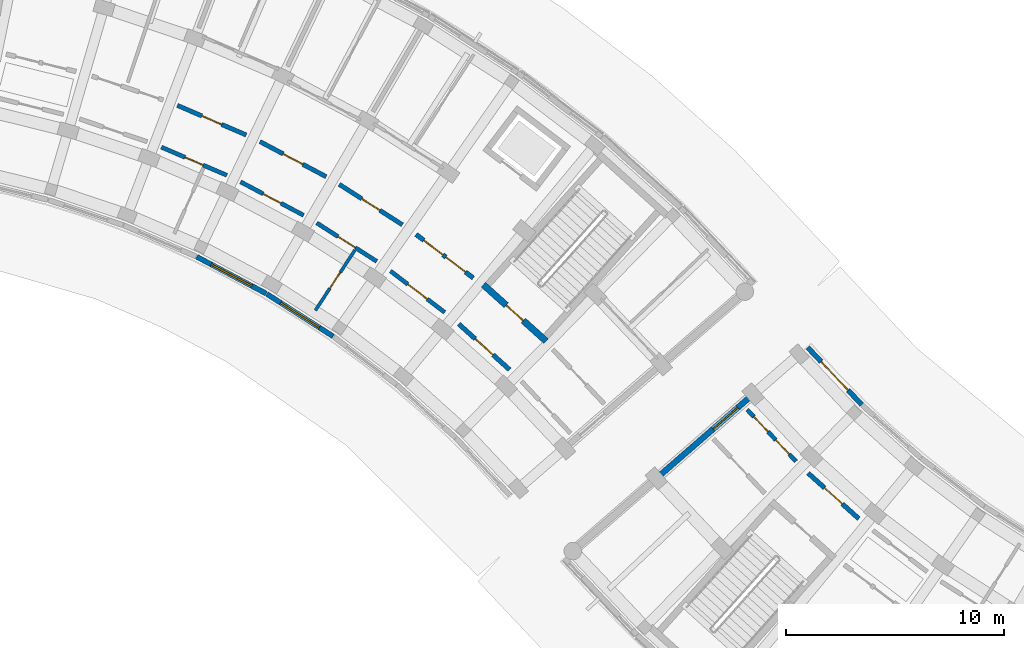
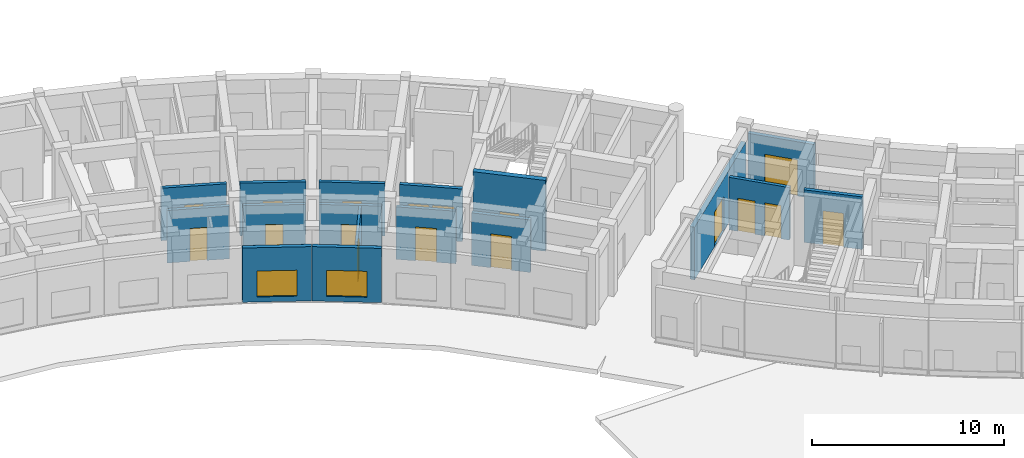
# One storey, part 37 of 61: 17 doors, 17 walls, 2 windows, 19 openings.
"""IFC4 building model written with IfcOpenShell, lengths in metres."""

from ifc_helpers import new_model, si_unit, direction, frame, frame_2d, origin, place, context, subcontext, project, spatial, rectangle, extrude, material, layer, layer_set, type_object, element, fill, save


model = new_model("IFC4")

# Units and contexts
model_context = context("Model", 3, precision=1e-05, world=origin(), true_north=direction((0.0, 1.0)))
body_context = subcontext(model_context, "Body", "Model", "MODEL_VIEW")
ifc_project = project(units=[si_unit("LENGTHUNIT", "METRE"), si_unit("AREAUNIT", "SQUARE_METRE"), si_unit("VOLUMEUNIT", "CUBIC_METRE"), si_unit("PLANEANGLEUNIT", "RADIAN"), si_unit("MASSUNIT", "GRAM", prefix="KILO")], contexts=[model_context])

# Site, building, storey
site_placement = place(None, origin())
site = spatial("IfcSite", under=ifc_project, at=site_placement, CompositionType="ELEMENT")
building_placement = place(site_placement, origin())
building = spatial("IfcBuilding", under=site, at=building_placement, Name="Zimvara Arc Housing Community", CompositionType="ELEMENT")
storey_placement = place(building_placement, origin())
storey = spatial("IfcBuildingStorey", under=building, at=storey_placement, Name="L00", CompositionType="ELEMENT", Elevation=0.0)

# Wall, opening, window
ifc_material_1 = material(Name="Board-Marked Fair-Faced Concrete C35/45", Category="concrete")
ifc_layer_1 = layer(ifc_material_1, 0.22998046875)
ifc_layer_set_1 = layer_set([ifc_layer_1], Name="Board-Marked Fair-Faced Concrete C35/45")
wall_type_1 = type_object("IfcWallType", Name="EWL-CONC-230", PredefinedType="SOLIDWALL", material=ifc_layer_set_1)
wall_1_placement = place(storey_placement, frame((64.29736328125, 84.73046875, 0.0), z_axis=(0.0, 0.0, 1.0), x_axis=(0.883438308286, -0.468547495407, 0.0)))
wall_1 = element("IfcWall", 1, at=wall_1_placement, inside=storey, type_object=wall_type_1, Name="ewall:blkB:L00:in:b5", PredefinedType="SOLIDWALL", context=body_context, shape_type="SweptSolid", body=[
    extrude(rectangle(XDim=3.603759765625, YDim=0.22998046875, at=frame_2d((1.8017578125, 0.0))), origin(), (0.0, 0.0, 1.0), 3.449951171875),
])
opening_1_placement = place(wall_1_placement, frame((0.751708984375, 0.0, 0.320068359375)))
opening_1 = element("IfcOpeningElement", 2, at=opening_1_placement, cuts=wall_1, Name="Opening W09", PredefinedType="OPENING", context=body_context, shape_type="SweptSolid", body=[
    extrude(rectangle(XDim=2.10009765625, YDim=1.64990234375, at=frame_2d((1.050048828125, 0.824951171875))), frame((0.0, 0.125, 0.0), z_axis=(0.0, -1.0, 0.0), x_axis=(1.0, 0.0, 0.0)), (0.0, 0.0, 1.0), 0.25),
])
ifc_material_2 = material(Name="Solar Control Low-E Double Glazing", Category="glass")
window_type = type_object("IfcWindowType", Name="WIN-RES-2100x1650", PartitioningType="TRIPLE_PANEL_VERTICAL", PredefinedType="WINDOW", material=ifc_material_2)
window_1_placement = place(opening_1_placement, origin())
window_1 = element("IfcWindow", 3, at=window_1_placement, inside=storey, type_object=window_type, Name="win:blkB:L00:in:b5", OverallHeight=1.64990234375, OverallWidth=2.10009765625, PartitioningType="TRIPLE_PANEL_VERTICAL", PredefinedType="WINDOW", context=body_context, shape_type="SweptSolid", body=[
    extrude(rectangle(XDim=2.10009765625, YDim=1.64990234375, at=frame_2d((1.050048828125, 0.824951171875))), frame((0.0, 0.030029296875, 0.0), z_axis=(0.0, -1.0, 0.0), x_axis=(1.0, 0.0, 0.0)), (0.0, 0.0, 1.0), 0.06005859375),
])
fill(opening_1, window_1)

wall_2_placement = place(storey_placement, frame((67.515380859375, 83.021728515625, 0.0), z_axis=(0.0, 0.0, 1.0), x_axis=(0.84225540507, -0.539078688718, 0.0)))
wall_2 = element("IfcWall", 4, at=wall_2_placement, inside=storey, type_object=wall_type_1, Name="ewall:blkB:L00:in:b6", PredefinedType="SOLIDWALL", context=body_context, shape_type="SweptSolid", body=[
    extrude(rectangle(XDim=3.603515625, YDim=0.22998046875, at=frame_2d((1.8017578125, 0.0))), origin(), (0.0, 0.0, 1.0), 3.449951171875),
])
opening_2_placement = place(wall_2_placement, frame((0.751708984375, 0.0, 0.320068359375)))
opening_2 = element("IfcOpeningElement", 5, at=opening_2_placement, cuts=wall_2, Name="Opening W09", PredefinedType="OPENING", context=body_context, shape_type="SweptSolid", body=[
    extrude(rectangle(XDim=2.10009765625, YDim=1.64990234375, at=frame_2d((1.050048828125, 0.824951171875))), frame((0.0, 0.125, 0.0), z_axis=(0.0, -1.0, 0.0), x_axis=(1.0, 0.0, 0.0)), (0.0, 0.0, 1.0), 0.25),
])
window_2_placement = place(opening_2_placement, origin())
window_2 = element("IfcWindow", 6, at=window_2_placement, inside=storey, type_object=window_type, Name="win:blkB:L00:in:b6", OverallHeight=1.64990234375, OverallWidth=2.10009765625, PartitioningType="TRIPLE_PANEL_VERTICAL", PredefinedType="WINDOW", context=body_context, shape_type="SweptSolid", body=[
    extrude(rectangle(XDim=2.10009765625, YDim=1.64990234375, at=frame_2d((1.050048828125, 0.824951171875))), frame((0.0, 0.030029296875, 0.0), z_axis=(0.0, -1.0, 0.0), x_axis=(1.0, 0.0, 0.0)), (0.0, 0.0, 1.0), 0.06005859375),
])
fill(opening_2, window_2)

# Wall, opening, door
wall_3_placement = place(storey_placement, frame((92.318603515625, 80.572021484375, 0.0), z_axis=(0.0, 0.0, 1.0), x_axis=(0.686315111338, -0.727304315915, 0.0)))
wall_3 = element("IfcWall", 7, at=wall_3_placement, inside=storey, type_object=wall_type_1, Name="ewall:blkC:L00:in:b0", PredefinedType="SOLIDWALL", context=body_context, shape_type="SweptSolid", body=[
    extrude(rectangle(XDim=3.603515625, YDim=0.22998046875, at=frame_2d((1.8017578125, 0.0))), origin(), (0.0, 0.0, 1.0), 3.449951171875),
])
opening_3_placement = place(wall_3_placement, frame((0.90185546875, 0.0, 0.0)))
opening_3 = element("IfcOpeningElement", 8, at=opening_3_placement, cuts=wall_3, Name="Opening ED02", PredefinedType="OPENING", context=body_context, shape_type="SweptSolid", body=[
    extrude(rectangle(XDim=1.800048828125, YDim=2.300048828125, at=frame_2d((0.89990234375, 1.14990234375))), frame((0.0, 0.125, 0.0), z_axis=(0.0, -1.0, 0.0), x_axis=(1.0, 0.0, 0.0)), (0.0, 0.0, 1.0), 0.25),
])
ifc_material_3 = material(Name="Anodised Aluminium AW-6063", Category="aluminium")
door_type_1 = type_object("IfcDoorType", Name="EDR-EXIT-1800x2300", OperationType="DOUBLE_DOOR_SINGLE_SWING", PredefinedType="DOOR", material=ifc_material_3)
door_1_placement = place(opening_3_placement, origin())
door_1 = element("IfcDoor", 9, at=door_1_placement, inside=storey, type_object=door_type_1, Name="edoor:blkC:L00:lobby", OperationType="DOUBLE_DOOR_SINGLE_SWING", OverallHeight=2.300048828125, OverallWidth=1.800048828125, PredefinedType="DOOR", context=body_context, shape_type="SweptSolid", body=[
    extrude(rectangle(XDim=1.800048828125, YDim=2.300048828125, at=frame_2d((0.89990234375, 1.14990234375))), frame((0.0, 0.02490234375, 0.0), z_axis=(0.0, -1.0, 0.0), x_axis=(1.0, 0.0, 0.0)), (0.0, 0.0, 1.0), 0.050048828125),
])
fill(opening_3, door_1)

ifc_material_4 = material(Name="Board-Marked Fair-Faced Concrete C35/45", Category="concrete")
ifc_layer_2 = layer(ifc_material_4, 0.264892578125)
ifc_layer_set_2 = layer_set([ifc_layer_2], Name="Board-Marked Fair-Faced Concrete C35/45")
wall_type_2 = type_object("IfcWallType", Name="EWL-CONC-265", PredefinedType="SOLIDWALL", material=ifc_layer_set_2)
wall_4_placement = place(storey_placement, frame((91.746337890625, 80.10107421875, 0.0), z_axis=(0.0, 0.0, 1.0), x_axis=(-0.754704866158, -0.656064451862, 0.0)))
wall_4 = element("IfcWall", 10, at=wall_4_placement, inside=storey, type_object=wall_type_2, Name="ewall:blkC:L00:g0", PredefinedType="SOLIDWALL", context=body_context, shape_type="SweptSolid", body=[
    extrude(rectangle(XDim=8.199951171875, YDim=0.264892578125, at=frame_2d((4.10009765625, 0.0))), origin(), (0.0, 0.0, 1.0), 3.340087890625),
])
opening_4_placement = place(wall_4_placement, frame((3.489990234375, 0.0, 0.0)))
opening_4 = element("IfcOpeningElement", 11, at=opening_4_placement, cuts=wall_4, Name="Opening ED01", PredefinedType="OPENING", context=body_context, shape_type="SweptSolid", body=[
    extrude(rectangle(XDim=1.5, YDim=2.199951171875, at=frame_2d((0.75, 1.10009765625))), frame((0.0, 0.142333984375, 0.0), z_axis=(0.0, -1.0, 0.0), x_axis=(1.0, 0.0, 0.0)), (0.0, 0.0, 1.0), 0.284912109375),
])
ifc_material_5 = material(Name="Anodised Aluminium AW-6063", Category="aluminium")
door_type_2 = type_object("IfcDoorType", Name="EDR-EXIT-1500x2200", OperationType="DOUBLE_DOOR_SINGLE_SWING", PredefinedType="DOOR", material=ifc_material_5)
door_2_placement = place(opening_4_placement, origin())
door_2 = element("IfcDoor", 12, at=door_2_placement, inside=storey, type_object=door_type_2, Name="edoor:blkC:L00:corr_exit:g0", OperationType="DOUBLE_DOOR_SINGLE_SWING", OverallHeight=2.199951171875, OverallWidth=1.5, PredefinedType="DOOR", context=body_context, shape_type="SweptSolid", body=[
    extrude(rectangle(XDim=1.5, YDim=2.199951171875, at=frame_2d((0.75, 1.10009765625))), frame((0.0, 0.02490234375, 0.0), z_axis=(0.0, -1.0, 0.0), x_axis=(1.0, 0.0, 0.0)), (0.0, 0.0, 1.0), 0.050048828125),
])
fill(opening_4, door_2)

# Wall, openings, doors
ifc_material_6 = material(Name="Concrete C35/45", Category="concrete")
ifc_layer_3 = layer(ifc_material_6, 0.2099609375)
ifc_layer_set_3 = layer_set([ifc_layer_3], Name="Concrete C35/45")
wall_type_3 = type_object("IfcWallType", Name="IWL-CCF-210", PredefinedType="SOLIDWALL", material=ifc_layer_set_3)
wall_5_placement = place(storey_placement, frame((74.356689453125, 85.755859375, 0.0), z_axis=(0.0, 0.0, 1.0), x_axis=(0.795498026433, -0.605956178235, 0.0)))
wall_5 = element("IfcWall", 13, at=wall_5_placement, inside=storey, type_object=wall_type_3, Name="iwall:blkB:L00:ll_div:b7", PredefinedType="SOLIDWALL", context=body_context, shape_type="SweptSolid", body=[
    extrude(rectangle(XDim=3.296142578125, YDim=0.2099609375, at=frame_2d((1.64794921875, 0.0))), origin(), (0.0, 0.0, 1.0), 3.340087890625),
])
opening_5_placement = place(wall_5_placement, frame((0.449951171875, 0.0, 0.0)))
opening_5 = element("IfcOpeningElement", 14, at=opening_5_placement, cuts=wall_5, Name="Opening FD-CCF1", PredefinedType="OPENING", context=body_context, shape_type="SweptSolid", body=[
    extrude(rectangle(XDim=1.10009765625, YDim=2.14990234375, at=frame_2d((0.550048828125, 1.074951171875))), frame((0.0, 0.114990234375, 0.0), z_axis=(0.0, -1.0, 0.0), x_axis=(1.0, 0.0, 0.0)), (0.0, 0.0, 1.0), 0.22998046875),
])
opening_6_placement = place(wall_5_placement, frame((1.72607421875, 0.0, 0.0)))
opening_6 = element("IfcOpeningElement", 15, at=opening_6_placement, cuts=wall_5, Name="Opening D07", PredefinedType="OPENING", context=body_context, shape_type="SweptSolid", body=[
    extrude(rectangle(XDim=1.1201171875, YDim=2.14990234375, at=frame_2d((0.56005859375, 1.074951171875))), frame((0.0, 0.114990234375, 0.0), z_axis=(0.0, -1.0, 0.0), x_axis=(1.0, 0.0, 0.0)), (0.0, 0.0, 1.0), 0.22998046875),
])
ifc_material_7 = material(Name="Mozambican Hardwood", Category="wood")
door_type_3 = type_object("IfcDoorType", Name="IDR-AMN-1120x2150", OperationType="NOTDEFINED", PredefinedType="DOOR", material=ifc_material_7)
door_3_placement = place(opening_6_placement, origin())
door_3 = element("IfcDoor", 16, at=door_3_placement, inside=storey, type_object=door_type_3, Name="idoor:blkB:L00:rs_in:b7", OperationType="SINGLE_SWING_LEFT", OverallHeight=2.14990234375, OverallWidth=1.1201171875, PredefinedType="DOOR", context=body_context, shape_type="SweptSolid", body=[
    extrude(rectangle(XDim=1.1201171875, YDim=2.14990234375, at=frame_2d((0.56005859375, 1.074951171875))), frame((0.0, 0.02490234375, 0.0), z_axis=(0.0, -1.0, 0.0), x_axis=(1.0, 0.0, 0.0)), (0.0, 0.0, 1.0), 0.050048828125),
])
fill(opening_6, door_3)
ifc_material_8 = material(Name="Anodised Aluminium AW-6063", Category="aluminium")
door_type_4 = type_object("IfcDoorType", Name="IDR-CCF-1100x2150", OperationType="NOTDEFINED", PredefinedType="DOOR", material=ifc_material_8)
door_4_placement = place(opening_5_placement, origin())
door_4 = element("IfcDoor", 17, at=door_4_placement, inside=storey, type_object=door_type_4, Name="idoor:blkB:L00:ll_in:b7", OperationType="SINGLE_SWING_RIGHT", OverallHeight=2.14990234375, OverallWidth=1.10009765625, PredefinedType="DOOR", context=body_context, shape_type="SweptSolid", body=[
    extrude(rectangle(XDim=1.10009765625, YDim=2.14990234375, at=frame_2d((0.550048828125, 1.074951171875))), frame((0.0, 0.02490234375, 0.0), z_axis=(0.0, -1.0, 0.0), x_axis=(1.0, 0.0, 0.0)), (0.0, 0.0, 1.0), 0.050048828125),
])
fill(opening_5, door_4)

# Wall, opening, door
wall_6_placement = place(storey_placement, frame((76.317138671875, 81.644287109375, 0.0), z_axis=(0.0, 0.0, 1.0), x_axis=(0.743387266925, -0.668861249718, 0.0)))
wall_6 = element("IfcWall", 18, at=wall_6_placement, inside=storey, type_object=wall_type_3, Name="iwall:blkB:L00:ccf_div:b8", PredefinedType="SOLIDWALL", context=body_context, shape_type="SweptSolid", body=[
    extrude(rectangle(XDim=3.12841796875, YDim=0.2099609375, at=frame_2d((1.564208984375, 0.0))), origin(), (0.0, 0.0, 1.0), 3.340087890625),
])
opening_7_placement = place(wall_6_placement, frame((1.014404296875, 0.0, 0.0)))
opening_7 = element("IfcOpeningElement", 19, at=opening_7_placement, cuts=wall_6, Name="Opening FD-CCF1", PredefinedType="OPENING", context=body_context, shape_type="SweptSolid", body=[
    extrude(rectangle(XDim=1.10009765625, YDim=2.14990234375, at=frame_2d((0.550048828125, 1.074951171875))), frame((0.0, 0.114990234375, 0.0), z_axis=(0.0, -1.0, 0.0), x_axis=(1.0, 0.0, 0.0)), (0.0, 0.0, 1.0), 0.22998046875),
])
door_5_placement = place(opening_7_placement, origin())
door_5 = element("IfcDoor", 20, at=door_5_placement, inside=storey, type_object=door_type_4, Name="idoor:blkB:L00:ccf_in:b8", OperationType="SINGLE_SWING_LEFT", OverallHeight=2.14990234375, OverallWidth=1.10009765625, PredefinedType="DOOR", context=body_context, shape_type="SweptSolid", body=[
    extrude(rectangle(XDim=1.10009765625, YDim=2.14990234375, at=frame_2d((0.550048828125, 1.074951171875))), frame((0.0, 0.02490234375, 0.0), z_axis=(0.0, -1.0, 0.0), x_axis=(1.0, 0.0, 0.0)), (0.0, 0.0, 1.0), 0.050048828125),
])
fill(opening_7, door_5)

wall_7_placement = place(storey_placement, frame((92.337158203125, 74.808349609375, 0.0), z_axis=(0.0, 0.0, 1.0), x_axis=(0.743348465558, -0.668904371904, 0.0)))
wall_7 = element("IfcWall", 21, at=wall_7_placement, inside=storey, type_object=wall_type_3, Name="iwall:blkC:L00:ccf_div:b1", PredefinedType="SOLIDWALL", context=body_context, shape_type="SweptSolid", body=[
    extrude(rectangle(XDim=3.128662109375, YDim=0.2099609375, at=frame_2d((1.564453125, 0.0))), origin(), (0.0, 0.0, 1.0), 3.340087890625),
])
opening_8_placement = place(wall_7_placement, frame((1.014404296875, 0.0, 0.0)))
opening_8 = element("IfcOpeningElement", 22, at=opening_8_placement, cuts=wall_7, Name="Opening FD-CCF1", PredefinedType="OPENING", context=body_context, shape_type="SweptSolid", body=[
    extrude(rectangle(XDim=1.10009765625, YDim=2.14990234375, at=frame_2d((0.550048828125, 1.074951171875))), frame((0.0, 0.114990234375, 0.0), z_axis=(0.0, -1.0, 0.0), x_axis=(1.0, 0.0, 0.0)), (0.0, 0.0, 1.0), 0.22998046875),
])
door_6_placement = place(opening_8_placement, origin())
door_6 = element("IfcDoor", 23, at=door_6_placement, inside=storey, type_object=door_type_4, Name="idoor:blkC:L00:ccf_in:b1", OperationType="SINGLE_SWING_RIGHT", OverallHeight=2.14990234375, OverallWidth=1.10009765625, PredefinedType="DOOR", context=body_context, shape_type="SweptSolid", body=[
    extrude(rectangle(XDim=1.10009765625, YDim=2.14990234375, at=frame_2d((0.550048828125, 1.074951171875))), frame((0.0, 0.02490234375, 0.0), z_axis=(0.0, -1.0, 0.0), x_axis=(1.0, 0.0, 0.0)), (0.0, 0.0, 1.0), 0.050048828125),
])
fill(opening_8, door_6)

ifc_material_9 = material(Name="Concrete C35/45", Category="concrete")
ifc_layer_4 = layer(ifc_material_9, 0.18994140625)
ifc_layer_set_4 = layer_set([ifc_layer_4], Name="Concrete C35/45")
wall_type_4 = type_object("IfcWallType", Name="IWL-CORR-190", PredefinedType="SOLIDWALL", material=ifc_layer_set_4)
wall_8_placement = place(storey_placement, frame((62.6748046875, 89.758056640625, 0.0), z_axis=(0.0, 0.0, 1.0), x_axis=(0.918723391052, -0.394901672235, 0.0)))
wall_8 = element("IfcWall", 24, at=wall_8_placement, inside=storey, type_object=wall_type_4, Name="iwall:blkB:L00:corr_in:b4", PredefinedType="SOLIDWALL", context=body_context, shape_type="SweptSolid", body=[
    extrude(rectangle(XDim=3.2685546875, YDim=0.18994140625, at=frame_2d((1.63427734375, 0.0))), origin(), (0.0, 0.0, 1.0), 3.340087890625),
])
opening_9_placement = place(wall_8_placement, frame((1.184326171875, 0.0, 0.0)))
opening_9 = element("IfcOpeningElement", 25, at=opening_9_placement, cuts=wall_8, Name="Opening D01", PredefinedType="OPENING", context=body_context, shape_type="SweptSolid", body=[
    extrude(rectangle(XDim=0.89990234375, YDim=2.10009765625, at=frame_2d((0.449951171875, 1.050048828125))), frame((0.0, 0.10498046875, 0.0), z_axis=(0.0, -1.0, 0.0), x_axis=(1.0, 0.0, 0.0)), (0.0, 0.0, 1.0), 0.2099609375),
])
ifc_material_10 = material(Name="Mozambican Hardwood", Category="wood")
door_type_5 = type_object("IfcDoorType", Name="IDR-RM-0900x2100", OperationType="NOTDEFINED", PredefinedType="DOOR", material=ifc_material_10)
door_7_placement = place(opening_9_placement, origin())
door_7 = element("IfcDoor", 26, at=door_7_placement, inside=storey, type_object=door_type_5, Name="idoor:blkB:L00:in_rm:b4", OperationType="SINGLE_SWING_RIGHT", OverallHeight=2.10009765625, OverallWidth=0.89990234375, PredefinedType="DOOR", context=body_context, shape_type="SweptSolid", body=[
    extrude(rectangle(XDim=0.89990234375, YDim=2.10009765625, at=frame_2d((0.449951171875, 1.050048828125))), frame((0.0, 0.02490234375, 0.0), z_axis=(0.0, -1.0, 0.0), x_axis=(1.0, 0.0, 0.0)), (0.0, 0.0, 1.0), 0.050048828125),
])
fill(opening_9, door_7)

wall_9_placement = place(storey_placement, frame((66.30859375, 88.1650390625, 0.0), z_axis=(0.0, 0.0, 1.0), x_axis=(0.883444301944, -0.468536194293, 0.0)))
wall_9 = element("IfcWall", 27, at=wall_9_placement, inside=storey, type_object=wall_type_4, Name="iwall:blkB:L00:corr_in:b5", PredefinedType="SOLIDWALL", context=body_context, shape_type="SweptSolid", body=[
    extrude(rectangle(XDim=3.268798828125, YDim=0.18994140625, at=frame_2d((1.63427734375, 0.0))), origin(), (0.0, 0.0, 1.0), 3.340087890625),
])
opening_10_placement = place(wall_9_placement, frame((1.17431640625, 0.0, 0.0)))
opening_10 = element("IfcOpeningElement", 28, at=opening_10_placement, cuts=wall_9, Name="Opening D02", PredefinedType="OPENING", context=body_context, shape_type="SweptSolid", body=[
    extrude(rectangle(XDim=0.919921875, YDim=2.10009765625, at=frame_2d((0.4599609375, 1.050048828125))), frame((0.0, 0.10498046875, 0.0), z_axis=(0.0, -1.0, 0.0), x_axis=(1.0, 0.0, 0.0)), (0.0, 0.0, 1.0), 0.2099609375),
])
ifc_material_11 = material(Name="Mozambican Hardwood", Category="wood")
door_type_6 = type_object("IfcDoorType", Name="IDR-RM-0920x2100", OperationType="NOTDEFINED", PredefinedType="DOOR", material=ifc_material_11)
door_8_placement = place(opening_10_placement, origin())
door_8 = element("IfcDoor", 29, at=door_8_placement, inside=storey, type_object=door_type_6, Name="idoor:blkB:L00:in_rm:b5", OperationType="SINGLE_SWING_RIGHT", OverallHeight=2.10009765625, OverallWidth=0.919921875, PredefinedType="DOOR", context=body_context, shape_type="SweptSolid", body=[
    extrude(rectangle(XDim=0.919921875, YDim=2.10009765625, at=frame_2d((0.4599609375, 1.050048828125))), frame((0.0, 0.02490234375, 0.0), z_axis=(0.0, -1.0, 0.0), x_axis=(1.0, 0.0, 0.0)), (0.0, 0.0, 1.0), 0.050048828125),
])
fill(opening_10, door_8)

wall_10_placement = place(storey_placement, frame((69.80029296875, 86.281005859375, 0.0), z_axis=(0.0, 0.0, 1.0), x_axis=(0.842225276846, -0.539125758095, 0.0)))
wall_10 = element("IfcWall", 30, at=wall_10_placement, inside=storey, type_object=wall_type_4, Name="iwall:blkB:L00:corr_in:b6", PredefinedType="SOLIDWALL", context=body_context, shape_type="SweptSolid", body=[
    extrude(rectangle(XDim=3.2685546875, YDim=0.18994140625, at=frame_2d((1.63427734375, 0.0))), origin(), (0.0, 0.0, 1.0), 3.340087890625),
])
opening_11_placement = place(wall_10_placement, frame((1.164306640625, 0.0, 0.0)))
opening_11 = element("IfcOpeningElement", 31, at=opening_11_placement, cuts=wall_10, Name="Opening D03", PredefinedType="OPENING", context=body_context, shape_type="SweptSolid", body=[
    extrude(rectangle(XDim=0.93994140625, YDim=2.10009765625, at=frame_2d((0.469970703125, 1.050048828125))), frame((0.0, 0.10498046875, 0.0), z_axis=(0.0, -1.0, 0.0), x_axis=(1.0, 0.0, 0.0)), (0.0, 0.0, 1.0), 0.2099609375),
])
ifc_material_12 = material(Name="Mozambican Hardwood", Category="wood")
door_type_7 = type_object("IfcDoorType", Name="IDR-RM-0940x2100", OperationType="NOTDEFINED", PredefinedType="DOOR", material=ifc_material_12)
door_9_placement = place(opening_11_placement, origin())
door_9 = element("IfcDoor", 32, at=door_9_placement, inside=storey, type_object=door_type_7, Name="idoor:blkB:L00:in_rm:b6", OperationType="SINGLE_SWING_LEFT", OverallHeight=2.10009765625, OverallWidth=0.93994140625, PredefinedType="DOOR", context=body_context, shape_type="SweptSolid", body=[
    extrude(rectangle(XDim=0.93994140625, YDim=2.10009765625, at=frame_2d((0.469970703125, 1.050048828125))), frame((0.0, 0.02490234375, 0.0), z_axis=(0.0, -1.0, 0.0), x_axis=(1.0, 0.0, 0.0)), (0.0, 0.0, 1.0), 0.050048828125),
])
fill(opening_11, door_9)

wall_11_placement = place(storey_placement, frame((73.18212890625, 84.07568359375, 0.0), z_axis=(0.0, 0.0, 1.0), x_axis=(0.795501577908, -0.605951515838, 0.0)))
wall_11 = element("IfcWall", 33, at=wall_11_placement, inside=storey, type_object=wall_type_4, Name="iwall:blkB:L00:ra_div:b7", PredefinedType="SOLIDWALL", context=body_context, shape_type="SweptSolid", body=[
    extrude(rectangle(XDim=3.128662109375, YDim=0.18994140625, at=frame_2d((1.564453125, 0.0))), origin(), (0.0, 0.0, 1.0), 3.340087890625),
])
opening_12_placement = place(wall_11_placement, frame((1.00439453125, 0.0, 0.0)))
opening_12 = element("IfcOpeningElement", 34, at=opening_12_placement, cuts=wall_11, Name="Opening D07", PredefinedType="OPENING", context=body_context, shape_type="SweptSolid", body=[
    extrude(rectangle(XDim=1.1201171875, YDim=2.14990234375, at=frame_2d((0.56005859375, 1.074951171875))), frame((0.0, 0.10498046875, 0.0), z_axis=(0.0, -1.0, 0.0), x_axis=(1.0, 0.0, 0.0)), (0.0, 0.0, 1.0), 0.2099609375),
])
door_10_placement = place(opening_12_placement, origin())
door_10 = element("IfcDoor", 35, at=door_10_placement, inside=storey, type_object=door_type_3, Name="idoor:blkB:L00:ra_d:b7", OperationType="SINGLE_SWING_RIGHT", OverallHeight=2.14990234375, OverallWidth=1.1201171875, PredefinedType="DOOR", context=body_context, shape_type="SweptSolid", body=[
    extrude(rectangle(XDim=1.1201171875, YDim=2.14990234375, at=frame_2d((0.56005859375, 1.074951171875))), frame((0.0, 0.02490234375, 0.0), z_axis=(0.0, -1.0, 0.0), x_axis=(1.0, 0.0, 0.0)), (0.0, 0.0, 1.0), 0.050048828125),
])
fill(opening_12, door_10)

# Wall, openings, doors
wall_12_placement = place(storey_placement, frame((89.541259765625, 77.720947265625, 0.0), z_axis=(0.0, 0.0, 1.0), x_axis=(0.686344941052, -0.727276166179, 0.0)))
wall_12 = element("IfcWall", 36, at=wall_12_placement, inside=storey, type_object=wall_type_4, Name="iwall:blkC:L00:corr_in:b0", PredefinedType="SOLIDWALL", context=body_context, shape_type="SweptSolid", body=[
    extrude(rectangle(XDim=3.2685546875, YDim=0.18994140625, at=frame_2d((1.63427734375, 0.0))), origin(), (0.0, 0.0, 1.0), 3.340087890625),
])
opening_13_placement = place(wall_12_placement, frame((0.449951171875, 0.0, 0.0)))
opening_13 = element("IfcOpeningElement", 37, at=opening_13_placement, cuts=wall_12, Name="Opening D06", PredefinedType="OPENING", context=body_context, shape_type="SweptSolid", body=[
    extrude(rectangle(XDim=0.949951171875, YDim=2.10009765625, at=frame_2d((0.47509765625, 1.050048828125))), frame((0.0, 0.10498046875, 0.0), z_axis=(0.0, -1.0, 0.0), x_axis=(1.0, 0.0, 0.0)), (0.0, 0.0, 1.0), 0.2099609375),
])
opening_14_placement = place(wall_12_placement, frame((1.918701171875, 0.0, 0.0)))
opening_14 = element("IfcOpeningElement", 38, at=opening_14_placement, cuts=wall_12, Name="Opening D01", PredefinedType="OPENING", context=body_context, shape_type="SweptSolid", body=[
    extrude(rectangle(XDim=0.89990234375, YDim=2.10009765625, at=frame_2d((0.449951171875, 1.050048828125))), frame((0.0, 0.10498046875, 0.0), z_axis=(0.0, -1.0, 0.0), x_axis=(1.0, 0.0, 0.0)), (0.0, 0.0, 1.0), 0.2099609375),
])
ifc_material_13 = material(Name="Mozambican Hardwood", Category="wood")
door_type_8 = type_object("IfcDoorType", Name="IDR-AWC-0950x2100", OperationType="NOTDEFINED", PredefinedType="DOOR", material=ifc_material_13)
door_11_placement = place(opening_13_placement, origin())
door_11 = element("IfcDoor", 39, at=door_11_placement, inside=storey, type_object=door_type_8, Name="idoor:blkC:L00:awc_d", OperationType="SINGLE_SWING_RIGHT", OverallHeight=2.10009765625, OverallWidth=0.949951171875, PredefinedType="DOOR", context=body_context, shape_type="SweptSolid", body=[
    extrude(rectangle(XDim=0.949951171875, YDim=2.10009765625, at=frame_2d((0.47509765625, 1.050048828125))), frame((0.0, 0.02490234375, 0.0), z_axis=(0.0, -1.0, 0.0), x_axis=(1.0, 0.0, 0.0)), (0.0, 0.0, 1.0), 0.050048828125),
])
fill(opening_13, door_11)
door_12_placement = place(opening_14_placement, origin())
door_12 = element("IfcDoor", 40, at=door_12_placement, inside=storey, type_object=door_type_5, Name="idoor:blkC:L00:mail_d", OperationType="SINGLE_SWING_LEFT", OverallHeight=2.10009765625, OverallWidth=0.89990234375, PredefinedType="DOOR", context=body_context, shape_type="SweptSolid", body=[
    extrude(rectangle(XDim=0.89990234375, YDim=2.10009765625, at=frame_2d((0.449951171875, 1.050048828125))), frame((0.0, 0.02490234375, 0.0), z_axis=(0.0, -1.0, 0.0), x_axis=(1.0, 0.0, 0.0)), (0.0, 0.0, 1.0), 0.050048828125),
])
fill(opening_14, door_12)

# Wall, opening, door
ifc_material_14 = material(Name="Concrete C35/45", Category="concrete")
ifc_layer_5 = layer(ifc_material_14, 0.199951171875)
ifc_layer_set_5 = layer_set([ifc_layer_5], Name="Concrete C35/45")
wall_type_5 = type_object("IfcWallType", Name="IWL-CORR-200", PredefinedType="SOLIDWALL", material=ifc_layer_set_5)
wall_13_placement = place(storey_placement, frame((63.40673828125, 91.6728515625, 0.0), z_axis=(0.0, 0.0, 1.0), x_axis=(0.918718172399, -0.394913813008, 0.0)))
wall_13 = element("IfcWall", 41, at=wall_13_placement, inside=storey, type_object=wall_type_5, Name="iwall:blkB:L00:corr_out:b4", PredefinedType="SOLIDWALL", context=body_context, shape_type="SweptSolid", body=[
    extrude(rectangle(XDim=3.43603515625, YDim=0.199951171875, at=frame_2d((1.718017578125, 0.0))), origin(), (0.0, 0.0, 1.0), 3.340087890625),
])
opening_15_placement = place(wall_13_placement, frame((1.22802734375, 0.0, 0.0)))
opening_15 = element("IfcOpeningElement", 42, at=opening_15_placement, cuts=wall_13, Name="Opening FD-FL1", PredefinedType="OPENING", context=body_context, shape_type="SweptSolid", body=[
    extrude(rectangle(XDim=0.97998046875, YDim=2.14990234375, at=frame_2d((0.489990234375, 1.074951171875))), frame((0.0, 0.10986328125, 0.0), z_axis=(0.0, -1.0, 0.0), x_axis=(1.0, 0.0, 0.0)), (0.0, 0.0, 1.0), 0.219970703125),
])
ifc_material_15 = material(Name="Mozambican Hardwood", Category="wood")
door_type_9 = type_object("IfcDoorType", Name="IDR-FLAT-0980x2150", OperationType="NOTDEFINED", PredefinedType="DOOR", material=ifc_material_15)
door_13_placement = place(opening_15_placement, origin())
door_13 = element("IfcDoor", 43, at=door_13_placement, inside=storey, type_object=door_type_9, Name="idoor:blkB:L00:flat:b4", OperationType="SINGLE_SWING_LEFT", OverallHeight=2.14990234375, OverallWidth=0.97998046875, PredefinedType="DOOR", context=body_context, shape_type="SweptSolid", body=[
    extrude(rectangle(XDim=0.97998046875, YDim=2.14990234375, at=frame_2d((0.489990234375, 1.074951171875))), frame((0.0, 0.02490234375, 0.0), z_axis=(0.0, -1.0, 0.0), x_axis=(1.0, 0.0, 0.0)), (0.0, 0.0, 1.0), 0.050048828125),
])
fill(opening_15, door_13)

wall_14_placement = place(storey_placement, frame((67.1943359375, 90.013916015625, 0.0), z_axis=(0.0, 0.0, 1.0), x_axis=(0.883410853063, -0.468599258099, 0.0)))
wall_14 = element("IfcWall", 44, at=wall_14_placement, inside=storey, type_object=wall_type_5, Name="iwall:blkB:L00:corr_out:b5", PredefinedType="SOLIDWALL", context=body_context, shape_type="SweptSolid", body=[
    extrude(rectangle(XDim=3.43603515625, YDim=0.199951171875, at=frame_2d((1.718017578125, 0.0))), origin(), (0.0, 0.0, 1.0), 3.340087890625),
])
opening_16_placement = place(wall_14_placement, frame((1.2080078125, 0.0, 0.0)))
opening_16 = element("IfcOpeningElement", 45, at=opening_16_placement, cuts=wall_14, Name="Opening FD-FL2", PredefinedType="OPENING", context=body_context, shape_type="SweptSolid", body=[
    extrude(rectangle(XDim=1.02001953125, YDim=2.14990234375, at=frame_2d((0.510009765625, 1.074951171875))), frame((0.0, 0.10986328125, 0.0), z_axis=(0.0, -1.0, 0.0), x_axis=(1.0, 0.0, 0.0)), (0.0, 0.0, 1.0), 0.219970703125),
])
ifc_material_16 = material(Name="Mozambican Hardwood", Category="wood")
door_type_10 = type_object("IfcDoorType", Name="IDR-FLAT-1020x2150", OperationType="NOTDEFINED", PredefinedType="DOOR", material=ifc_material_16)
door_14_placement = place(opening_16_placement, origin())
door_14 = element("IfcDoor", 46, at=door_14_placement, inside=storey, type_object=door_type_10, Name="idoor:blkB:L00:flat:b5", OperationType="SINGLE_SWING_LEFT", OverallHeight=2.14990234375, OverallWidth=1.02001953125, PredefinedType="DOOR", context=body_context, shape_type="SweptSolid", body=[
    extrude(rectangle(XDim=1.02001953125, YDim=2.14990234375, at=frame_2d((0.510009765625, 1.074951171875))), frame((0.0, 0.02490234375, 0.0), z_axis=(0.0, -1.0, 0.0), x_axis=(1.0, 0.0, 0.0)), (0.0, 0.0, 1.0), 0.050048828125),
])
fill(opening_16, door_14)

wall_15_placement = place(storey_placement, frame((70.833740234375, 88.05126953125, 0.0), z_axis=(0.0, 0.0, 1.0), x_axis=(0.842257205985, -0.539075874963, 0.0)))
wall_15 = element("IfcWall", 47, at=wall_15_placement, inside=storey, type_object=wall_type_5, Name="iwall:blkB:L00:corr_out:b6", PredefinedType="SOLIDWALL", context=body_context, shape_type="SweptSolid", body=[
    extrude(rectangle(XDim=3.43603515625, YDim=0.199951171875, at=frame_2d((1.718017578125, 0.0))), origin(), (0.0, 0.0, 1.0), 3.340087890625),
])
opening_17_placement = place(wall_15_placement, frame((1.22802734375, 0.0, 0.0)))
opening_17 = element("IfcOpeningElement", 48, at=opening_17_placement, cuts=wall_15, Name="Opening FD-FL1", PredefinedType="OPENING", context=body_context, shape_type="SweptSolid", body=[
    extrude(rectangle(XDim=0.97998046875, YDim=2.14990234375, at=frame_2d((0.489990234375, 1.074951171875))), frame((0.0, 0.10986328125, 0.0), z_axis=(0.0, -1.0, 0.0), x_axis=(1.0, 0.0, 0.0)), (0.0, 0.0, 1.0), 0.219970703125),
])
door_15_placement = place(opening_17_placement, origin())
door_15 = element("IfcDoor", 49, at=door_15_placement, inside=storey, type_object=door_type_9, Name="idoor:blkB:L00:flat:b6", OperationType="SINGLE_SWING_RIGHT", OverallHeight=2.14990234375, OverallWidth=0.97998046875, PredefinedType="DOOR", context=body_context, shape_type="SweptSolid", body=[
    extrude(rectangle(XDim=0.97998046875, YDim=2.14990234375, at=frame_2d((0.489990234375, 1.074951171875))), frame((0.0, 0.02490234375, 0.0), z_axis=(0.0, -1.0, 0.0), x_axis=(1.0, 0.0, 0.0)), (0.0, 0.0, 1.0), 0.050048828125),
])
fill(opening_17, door_15)

ifc_material_17 = material(Name="Painted Acoustic Plasterboard")
ifc_layer_6 = layer(ifc_material_17, 0.14501953125)
ifc_layer_set_6 = layer_set([ifc_layer_6], Name="Painted Acoustic Plasterboard")
wall_type_6 = type_object("IfcWallType", Name="IWL-WET-145", PredefinedType="PARTITIONING", material=ifc_layer_set_6)
wall_16_placement = place(storey_placement, frame((69.73876953125, 82.269287109375, 0.0), z_axis=(0.0, 0.0, 1.0), x_axis=(0.547920940513, 0.836530120765, 0.0)))
wall_16 = element("IfcWall", 50, at=wall_16_placement, inside=storey, type_object=wall_type_6, Name="iwall:blkB:L00:ens:b6", PredefinedType="PARTITIONING", context=body_context, shape_type="SweptSolid", body=[
    extrude(rectangle(XDim=3.300048828125, YDim=0.14501953125, at=frame_2d((1.64990234375, 0.0))), origin(), (0.0, 0.0, 1.0), 3.340087890625),
])
opening_18_placement = place(wall_16_placement, frame((1.2099609375, 0.0, 0.0)))
opening_18 = element("IfcOpeningElement", 51, at=opening_18_placement, cuts=wall_16, Name="Opening D05", PredefinedType="OPENING", context=body_context, shape_type="SweptSolid", body=[
    extrude(rectangle(XDim=0.8798828125, YDim=2.10009765625, at=frame_2d((0.43994140625, 1.050048828125))), frame((0.0, 0.08251953125, 0.0), z_axis=(0.0, -1.0, 0.0), x_axis=(1.0, 0.0, 0.0)), (0.0, 0.0, 1.0), 0.1650390625),
])
ifc_material_18 = material(Name="Mozambican Hardwood", Category="wood")
door_type_11 = type_object("IfcDoorType", Name="IDR-WC-0880x2100", OperationType="NOTDEFINED", PredefinedType="DOOR", material=ifc_material_18)
door_16_placement = place(opening_18_placement, origin())
door_16 = element("IfcDoor", 52, at=door_16_placement, inside=storey, type_object=door_type_11, Name="idoor:blkB:L00:ens_d:b6", OperationType="SINGLE_SWING_RIGHT", OverallHeight=2.10009765625, OverallWidth=0.8798828125, PredefinedType="DOOR", context=body_context, shape_type="SweptSolid", body=[
    extrude(rectangle(XDim=0.8798828125, YDim=2.10009765625, at=frame_2d((0.43994140625, 1.050048828125))), frame((0.0, 0.02490234375, 0.0), z_axis=(0.0, -1.0, 0.0), x_axis=(1.0, 0.0, 0.0)), (0.0, 0.0, 1.0), 0.050048828125),
])
fill(opening_18, door_16)

ifc_material_19 = material(Name="Concrete C40/50", Category="concrete")
ifc_layer_7 = layer(ifc_material_19, 0.300048828125)
ifc_layer_set_7 = layer_set([ifc_layer_7], Name="Concrete C40/50")
wall_type_7 = type_object("IfcWallType", Name="WL-CORE-300", PredefinedType="SHEAR", material=ifc_layer_set_7)
wall_17_placement = place(storey_placement, frame((80.320068359375, 80.861572265625, 0.0), z_axis=(0.0, 0.0, 1.0), x_axis=(-0.743375696158, 0.668874109501, 0.0)))
wall_17 = element("IfcWall", 53, at=wall_17_placement, inside=storey, type_object=wall_type_7, Name="cwall:ST-B2:L00:near", PredefinedType="SHEAR", context=body_context, shape_type="SweptSolid", body=[
    extrude(rectangle(XDim=3.8701171875, YDim=0.300048828125, at=frame_2d((1.93505859375, 0.0))), origin(), (0.0, 0.0, 1.0), 4.5),
])
opening_19_placement = place(wall_17_placement, frame((1.409912109375, 0.0, 0.0)))
opening_19 = element("IfcOpeningElement", 54, at=opening_19_placement, cuts=wall_17, Name="Opening FD-ST2", PredefinedType="OPENING", context=body_context, shape_type="SweptSolid", body=[
    extrude(rectangle(XDim=1.050048828125, YDim=2.14990234375, at=frame_2d((0.52490234375, 1.074951171875))), frame((0.0, 0.159912109375, 0.0), z_axis=(0.0, -1.0, 0.0), x_axis=(1.0, 0.0, 0.0)), (0.0, 0.0, 1.0), 0.320068359375),
])
ifc_material_20 = material(Name="Anodised Aluminium AW-6063", Category="aluminium")
door_type_12 = type_object("IfcDoorType", Name="IDR-ST-1050x2150", OperationType="NOTDEFINED", PredefinedType="DOOR", material=ifc_material_20)
door_17_placement = place(opening_19_placement, origin())
door_17 = element("IfcDoor", 55, at=door_17_placement, inside=storey, type_object=door_type_12, Name="idoor:ST-B2:L00:entry", OperationType="SINGLE_SWING_RIGHT", OverallHeight=2.14990234375, OverallWidth=1.050048828125, PredefinedType="DOOR", context=body_context, shape_type="SweptSolid", body=[
    extrude(rectangle(XDim=1.050048828125, YDim=2.14990234375, at=frame_2d((0.52490234375, 1.074951171875))), frame((0.0, 0.02490234375, 0.0), z_axis=(0.0, -1.0, 0.0), x_axis=(1.0, 0.0, 0.0)), (0.0, 0.0, 1.0), 0.050048828125),
])
fill(opening_19, door_17)

save(model, "model.ifc")
